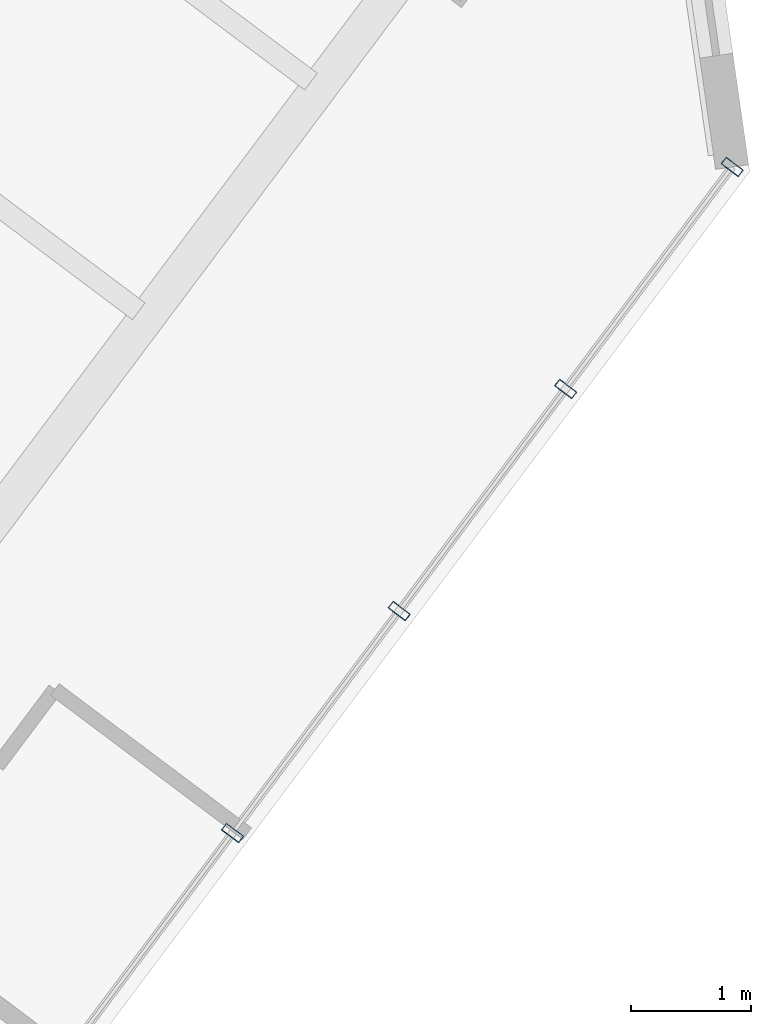
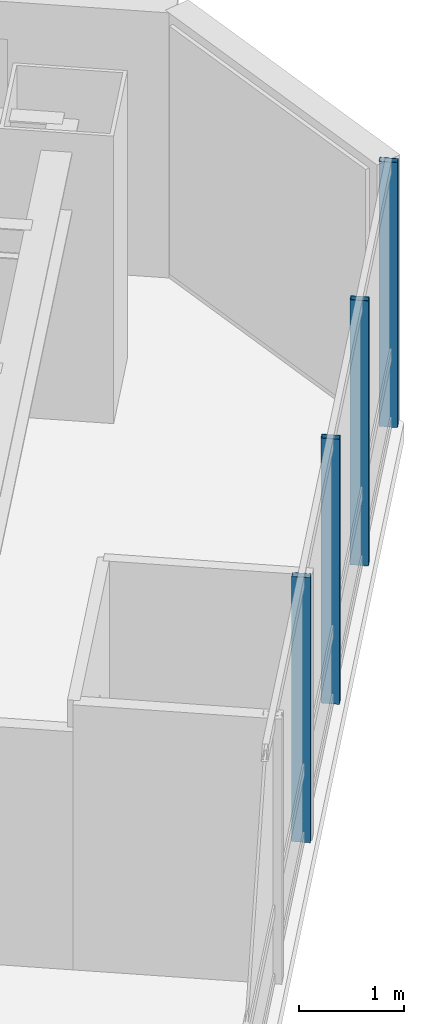
# One storey, part 25 of 39: 4 members, 1 element without a shape of its own.
"""IFC4 building model written with IfcOpenShell, lengths in metres."""

from ifc_helpers import new_model, si_unit, direction, frame, origin, origin_2d, place, context, subcontext, project, spatial, hollow_rectangle, extrude, material, layer, layer_set, material_profile, profile_set, type_object, element, aggregate, save


model = new_model("IFC4")

# Units and contexts
model_context = context("Model", 3, precision=1e-05, world=origin(), true_north=direction((0.0, 1.0)))
body_context = subcontext(model_context, "Body", "Model", "MODEL_VIEW")
ifc_project = project(units=[si_unit("LENGTHUNIT", "METRE"), si_unit("AREAUNIT", "SQUARE_METRE"), si_unit("VOLUMEUNIT", "CUBIC_METRE"), si_unit("PLANEANGLEUNIT", "RADIAN"), si_unit("MASSUNIT", "GRAM", prefix="KILO")], contexts=[model_context])

# Site, building, storey
site_placement = place(None, origin())
site = spatial("IfcSite", under=ifc_project, at=site_placement, CompositionType="ELEMENT")
building_placement = place(site_placement, origin())
building = spatial("IfcBuilding", under=site, at=building_placement, Name="Hatsunagi Terrace Concourse", CompositionType="ELEMENT")
storey_placement = place(building_placement, frame((0.0, 0.0, 66.75)))
storey = spatial("IfcBuildingStorey", under=building, at=storey_placement, Name="L17", CompositionType="ELEMENT", Elevation=66.75)

# Curtain wall, members
ifc_material_1 = material(Name="Anodised Aluminium Alloy 6063-T5", Category="aluminium")
ifc_layer = layer(ifc_material_1, 0.199951171875)
ifc_layer_set = layer_set([ifc_layer], Name="HotelFacade_CW02")
curtain_wall_type = type_object("IfcCurtainWallType", Name="HotelFacade_CW02", PredefinedType="NOTDEFINED", material=ifc_layer_set)
curtain_wall_placement = place(storey_placement, origin())
curtain_wall = element("IfcCurtainWall", 1, at=curtain_wall_placement, inside=storey, type_object=curtain_wall_type, Name="Unitised Curtain Wall CW-02 CW-L17-03", PredefinedType="NOTDEFINED")
ifc_material_2 = material(Name="Anodised Aluminium Alloy 6063-T5", Category="aluminium")
ifc_material_profile = material_profile(ifc_material_2, hollow_rectangle(XDim=0.070068359375, YDim=0.179931640625, WallThickness=0.00390625, at=origin_2d()), Name="ALU-MUL-180x70x4")
ifc_profile_set = profile_set([ifc_material_profile], Name="Anodised Aluminium Alloy 6063-T5")
member_type = type_object("IfcMemberType", Name="CurtainWallMullion_180x70", PredefinedType="MULLION", material=ifc_profile_set)
member_1_placement = place(storey_placement, frame((69.093017578125, 19.657958984375, 0.0), z_axis=(0.0, 0.0, 1.0), x_axis=(-0.599969314634, -0.800023013105, 0.0)))
member_1 = element("IfcMember", 2, at=member_1_placement, type_object=member_type, Name="Curtain Wall Mullion MUL-02", PredefinedType="MULLION", context=body_context, shape_type="SweptSolid", body=[
    extrude(hollow_rectangle(XDim=0.070068359375, YDim=0.179931640625, WallThickness=0.00390625, at=origin_2d()), origin(), (0.0, 0.0, 1.0), 3.090087890625),
])
member_2_placement = place(storey_placement, frame((67.700927734375, 17.802001953125, 0.0), z_axis=(0.0, 0.0, 1.0), x_axis=(-0.599969314634, -0.800023013105, 0.0)))
member_2 = element("IfcMember", 3, at=member_2_placement, type_object=member_type, Name="Curtain Wall Mullion MUL-02", PredefinedType="MULLION", context=body_context, shape_type="SweptSolid", body=[
    extrude(hollow_rectangle(XDim=0.070068359375, YDim=0.179931640625, WallThickness=0.00390625, at=origin_2d()), origin(), (0.0, 0.0, 1.0), 3.090087890625),
])
member_3_placement = place(storey_placement, frame((66.30908203125, 15.945068359375, 0.0), z_axis=(0.0, 0.0, 1.0), x_axis=(-0.599969314634, -0.800023013105, 0.0)))
member_3 = element("IfcMember", 4, at=member_3_placement, type_object=member_type, Name="Curtain Wall Mullion MUL-02", PredefinedType="MULLION", context=body_context, shape_type="SweptSolid", body=[
    extrude(hollow_rectangle(XDim=0.070068359375, YDim=0.179931640625, WallThickness=0.00390625, at=origin_2d()), origin(), (0.0, 0.0, 1.0), 3.090087890625),
])
member_4_placement = place(storey_placement, frame((64.916015625, 14.089111328125, 0.0), z_axis=(0.0, 0.0, 1.0), x_axis=(-0.599969314634, -0.800023013105, 0.0)))
member_4 = element("IfcMember", 5, at=member_4_placement, type_object=member_type, Name="Curtain Wall Mullion MUL-02", PredefinedType="MULLION", context=body_context, shape_type="SweptSolid", body=[
    extrude(hollow_rectangle(XDim=0.070068359375, YDim=0.179931640625, WallThickness=0.00390625, at=origin_2d()), origin(), (0.0, 0.0, 1.0), 3.090087890625),
])
aggregate(curtain_wall, [member_1, member_2, member_3, member_4])

save(model, "model.ifc")
